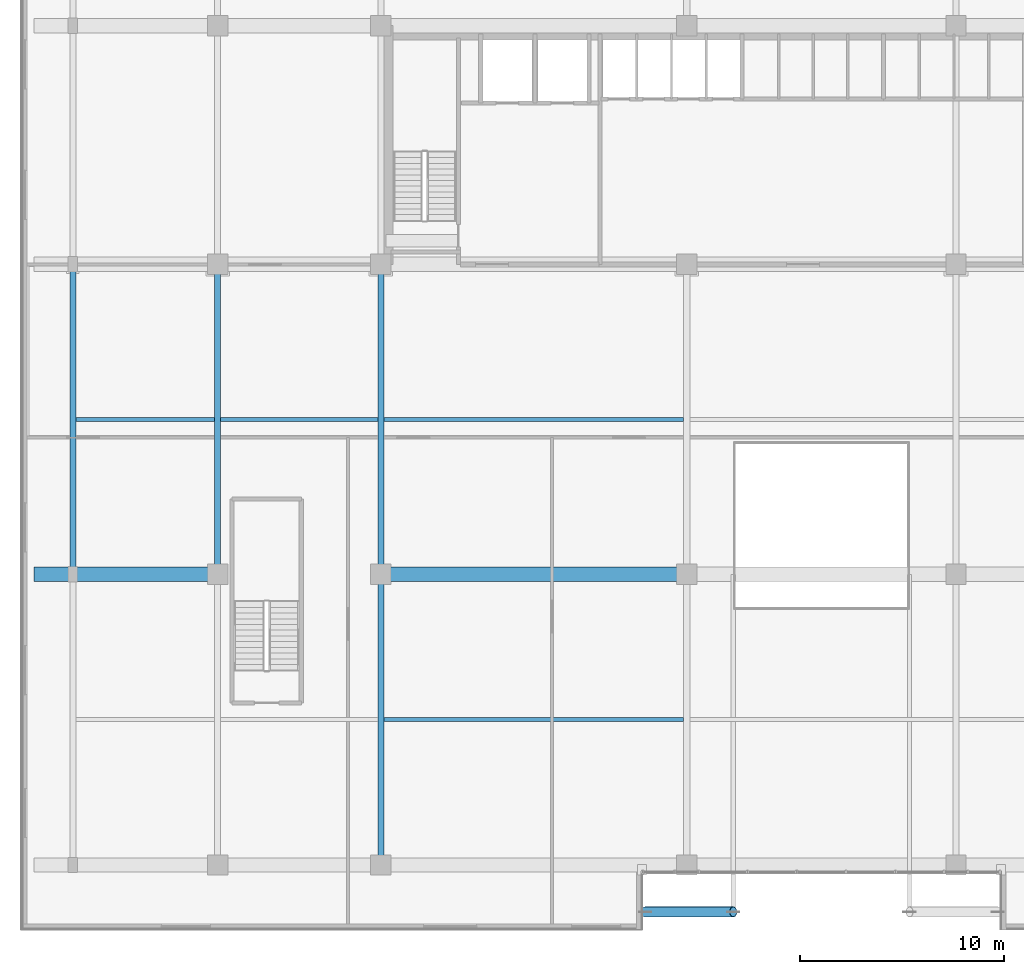
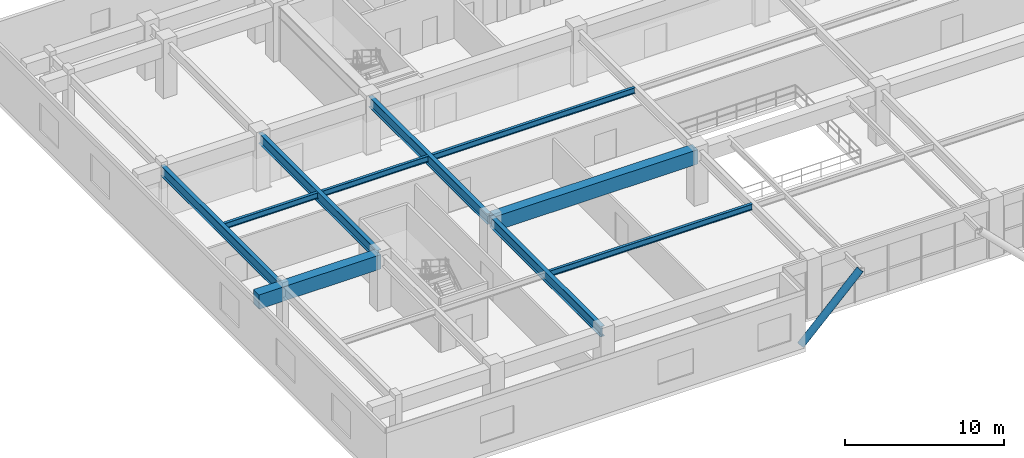
# One storey, part 3 of 21: 10 beams, 1 member.
"""IFC4 building model written with IfcOpenShell, lengths in metres."""

import ifcopenshell
import ifcopenshell.guid

model = None  # the IFC model being written
_history = None  # IfcOwnerHistory: only IFC2X3 demands one
_inside = {}  # id of a spatial element -> (the spatial element, [elements in it])
_under = {}  # id of a project, library or spatial element -> (it, [spatial elements below it])
_declared = {}  # id of a project -> (the project, [libraries it declares])
_typed = {}  # id of a type object -> (the type object, [elements of that type])
_made_of = {}  # id of a material, layer set ... -> (it, [elements and type objects made of it])


def new_model(schema):
    """Start an empty IFC model of exactly this schema.

    Asked for "IFC4X3", IfcOpenShell would pick the latest addendum, in which some entities
    have other attributes; the version numbers below select the first issue.
    IFC2X3 requires an IfcOwnerHistory on every rooted entity: one is made here for all.
    """
    global model, _history
    if schema == "IFC4X3":
        model = ifcopenshell.file(schema_version=(4, 3, 0, 0))
    else:
        model = ifcopenshell.file(schema=schema)
    _inside.clear()
    _under.clear()
    _declared.clear()
    _typed.clear()
    _made_of.clear()
    _history = None
    if model.schema == "IFC2X3":
        org = make("IfcOrganization", Name="unknown")
        user = make(
            "IfcPersonAndOrganization",
            ThePerson=make("IfcPerson", FamilyName="unknown"),
            TheOrganization=org,
        )
        app = make(
            "IfcApplication",
            ApplicationDeveloper=org,
            Version="unknown",
            ApplicationFullName="unknown",
            ApplicationIdentifier="unknown",
        )
        _history = make(
            "IfcOwnerHistory",
            OwningUser=user,
            OwningApplication=app,
            ChangeAction="ADDED",
            CreationDate=0,
        )
    return model


def make(cls, **values):
    """One entity of the class cls with the attributes given. An attribute that is None is left unset."""
    return model.create_entity(
        cls, **{name: value for name, value in values.items() if value is not None}
    )


def rooted(cls, **values):
    """An entity with a GlobalId (a new one), such as an element, a storey or a relation."""
    return make(cls, GlobalId=ifcopenshell.guid.new(), OwnerHistory=_history, **values)


def si_unit(unit_type, name, prefix=None):
    """IfcSIUnit, for example si_unit("LENGTHUNIT", "METRE", prefix="MILLI")."""
    return make("IfcSIUnit", UnitType=unit_type, Prefix=prefix, Name=name)


def assignment(units):
    """IfcUnitAssignment: the units of a project."""
    return None if units is None else make("IfcUnitAssignment", Units=units)


def point(xyz):
    """IfcCartesianPoint."""
    return None if xyz is None else make("IfcCartesianPoint", Coordinates=xyz)


def direction(xyz):
    """IfcDirection."""
    return None if xyz is None else make("IfcDirection", DirectionRatios=xyz)


def frame(location, z_axis=None, x_axis=None):
    """IfcAxis2Placement3D, a coordinate frame: its origin and axes. An axis left out is left unset."""
    return make(
        "IfcAxis2Placement3D",
        Location=point(location),
        Axis=direction(z_axis),
        RefDirection=direction(x_axis),
    )


def frame_2d(location, x_axis=None):
    """IfcAxis2Placement2D, a coordinate frame in the plane: its origin and x axis."""
    return make(
        "IfcAxis2Placement2D", Location=point(location), RefDirection=direction(x_axis)
    )


def origin():
    """The frame at (0, 0, 0) with its axes left unset."""
    return frame((0.0, 0.0, 0.0))


def origin_2d():
    """The frame at (0, 0) in the plane with its x axis left unset."""
    return frame_2d((0.0, 0.0))


def place(relative_to, where):
    """IfcLocalPlacement: puts the frame where relative to a parent placement (None: the world)."""
    return make(
        "IfcLocalPlacement", PlacementRelTo=relative_to, RelativePlacement=where
    )


def context(
    kind, dimensions, precision=None, world=None, true_north=None, identifier=None
):
    """IfcGeometricRepresentationContext, for example the 3D "Model" context."""
    return make(
        "IfcGeometricRepresentationContext",
        ContextIdentifier=identifier,
        ContextType=kind,
        CoordinateSpaceDimension=dimensions,
        Precision=precision,
        WorldCoordinateSystem=world,
        TrueNorth=true_north,
    )


def subcontext(parent, identifier, kind, view, scale=None):
    """IfcGeometricRepresentationSubContext, for example "Body" below "Model"."""
    return make(
        "IfcGeometricRepresentationSubContext",
        ContextIdentifier=identifier,
        ContextType=kind,
        ParentContext=parent,
        TargetScale=scale,
        TargetView=view,
    )


def project(units=None, contexts=None):
    """IfcProject with its units and contexts."""
    return rooted(
        "IfcProject",
        Name="project",
        RepresentationContexts=contexts,
        UnitsInContext=assignment(units),
    )


def spatial(cls, under=None, at=None, **own):
    """A site, building, storey or space (cls), placed at a placement, below another one or the project."""
    s = rooted(cls, ObjectPlacement=at, **own)
    if under is not None:
        _under.setdefault(under.id(), (under, []))[1].append(s)
    return s


def profile(cls, at=None, kind="AREA", **sizes):
    """A parametric profile (cls). Its sizes go by their IFC names, for example OverallWidth=200.0."""
    return make(cls, ProfileType=kind, Position=at, **sizes)


def rectangle(**sizes):
    """IfcRectangleProfileDef."""
    return profile("IfcRectangleProfileDef", **sizes)


def hollow_circle(**sizes):
    """IfcCircleHollowProfileDef."""
    return profile("IfcCircleHollowProfileDef", **sizes)


def i_section(**sizes):
    """IfcIShapeProfileDef."""
    return profile("IfcIShapeProfileDef", **sizes)


def extrude(swept, where, along, depth):
    """IfcExtrudedAreaSolid: the profile swept, set in the frame where, extruded along a direction by depth."""
    return make(
        "IfcExtrudedAreaSolid",
        SweptArea=swept,
        Position=where,
        ExtrudedDirection=direction(along),
        Depth=depth,
    )


def shape(context_of_items, identifier, shape_type, items):
    """IfcShapeRepresentation: the items that make up one representation, for example the "Body"."""
    return make(
        "IfcShapeRepresentation",
        ContextOfItems=context_of_items,
        RepresentationIdentifier=identifier,
        RepresentationType=shape_type,
        Items=items,
    )


def source(mapping_origin, context_of_items, identifier, shape_type, items):
    """IfcRepresentationMap: a shape defined once, which mapped items show again and again."""
    return make(
        "IfcRepresentationMap",
        MappingOrigin=mapping_origin,
        MappedRepresentation=shape(context_of_items, identifier, shape_type, items),
    )


def transform(
    local_origin,
    x_axis=None,
    y_axis=None,
    z_axis=None,
    scale=None,
    scale2=None,
    scale3=None,
    uniform=True,
):
    """IfcCartesianTransformationOperator3D, or its non-uniform kind. x_axis, y_axis, z_axis: its Axis1, 2, 3."""
    if uniform:
        return make(
            "IfcCartesianTransformationOperator3D",
            Axis1=direction(x_axis),
            Axis2=direction(y_axis),
            LocalOrigin=point(local_origin),
            Scale=scale,
            Axis3=direction(z_axis),
        )
    return make(
        "IfcCartesianTransformationOperator3DnonUniform",
        Axis1=direction(x_axis),
        Axis2=direction(y_axis),
        LocalOrigin=point(local_origin),
        Scale=scale,
        Axis3=direction(z_axis),
        Scale2=scale2,
        Scale3=scale3,
    )


def mapped(mapping_source, mapping_target):
    """IfcMappedItem: shows the shape of a source again, moved by a transform."""
    return make(
        "IfcMappedItem", MappingSource=mapping_source, MappingTarget=mapping_target
    )


def material(Name=None, Category=None):
    """IfcMaterial."""
    return make("IfcMaterial", Name=Name, Category=Category)


def material_profile(
    of_material, cross_section, Name=None, Category=None, Priority=None
):
    """IfcMaterialProfile: a cross section and its material."""
    return make(
        "IfcMaterialProfile",
        Name=Name,
        Material=of_material,
        Profile=cross_section,
        Priority=Priority,
        Category=Category,
    )


def profile_set(profiles, Name=None, composite=None):
    """IfcMaterialProfileSet."""
    return make(
        "IfcMaterialProfileSet",
        Name=Name,
        MaterialProfiles=profiles,
        CompositeProfile=composite,
    )


def made_of(thing, what):
    """Note that an element or type object is made of a material, layer set ...; save() writes the relation."""
    if what is not None:
        _made_of.setdefault(what.id(), (what, []))[1].append(thing)
    return thing


def type_object(cls, material=None, **own):
    """A type object (cls), such as IfcWallType, which elements share."""
    return made_of(rooted(cls, **own), material)


def element(
    cls,
    number,
    at=None,
    inside=None,
    cuts=None,
    type_object=None,
    material=None,
    context=None,
    identifier="Body",
    shape_type=None,
    held_by="IfcProductDefinitionShape",
    body=None,
    shapes=None,
    **own,
):
    """One element of the class cls, such as IfcWall. Its Tag is "e" and its number.

    at: its placement. inside: the storey or other place that contains it. cuts: it is an
    opening in that element (IfcRelVoidsElement). A single representation is given by context,
    identifier, shape_type and body (its items); several are given by shapes. held_by: the class
    of the entity that holds the representations. save() writes the other relations.
    """
    e = rooted(cls, Tag="e%d" % number, ObjectPlacement=at, **own)
    if body is not None:
        shapes = [shape(context, identifier, shape_type, body)]
    if shapes is not None:
        e.Representation = make(held_by, Representations=shapes)
    if inside is not None:
        _inside.setdefault(inside.id(), (inside, []))[1].append(e)
    if cuts is not None:
        rooted(
            "IfcRelVoidsElement", RelatingBuildingElement=cuts, RelatedOpeningElement=e
        )
    if type_object is not None:
        _typed.setdefault(type_object.id(), (type_object, []))[1].append(e)
    return made_of(e, material)


def aggregate(whole, parts):
    """IfcRelAggregates: a whole, such as a stair, and the parts it consists of."""
    return rooted("IfcRelAggregates", RelatingObject=whole, RelatedObjects=parts)


def save(model, path):
    """Write the relations noted so far, then the file.

    IfcRelAggregates (storeys below a building ...), IfcRelContainedInSpatialStructure (elements
    in a storey), IfcRelDefinesByType, IfcRelAssociatesMaterial and IfcRelDeclares: one each for
    every whole, place, type object, material and project.
    """
    for whole, parts in _under.values():
        aggregate(whole, parts)
    for where, things in _inside.values():
        rooted(
            "IfcRelContainedInSpatialStructure",
            RelatedElements=things,
            RelatingStructure=where,
        )
    for kind, things in _typed.values():
        rooted("IfcRelDefinesByType", RelatedObjects=things, RelatingType=kind)
    for what, things in _made_of.values():
        rooted("IfcRelAssociatesMaterial", RelatedObjects=things, RelatingMaterial=what)
    for by, libraries in _declared.values():
        rooted("IfcRelDeclares", RelatingContext=by, RelatedDefinitions=libraries)
    model.write(path)


model = new_model("IFC4")

# Units and contexts
model_context = context("Model", 3, precision=1e-05, world=origin(), true_north=direction((0.0, 1.0)))
body_context = subcontext(model_context, "Body", "Model", "MODEL_VIEW")
ifc_project = project(units=[si_unit("LENGTHUNIT", "METRE"), si_unit("AREAUNIT", "SQUARE_METRE"), si_unit("VOLUMEUNIT", "CUBIC_METRE"), si_unit("PLANEANGLEUNIT", "RADIAN"), si_unit("MASSUNIT", "GRAM", prefix="KILO")], contexts=[model_context])

# Site, building, storey
site_placement = place(None, origin())
site = spatial("IfcSite", under=ifc_project, at=site_placement, CompositionType="ELEMENT")
building_placement = place(site_placement, origin())
building = spatial("IfcBuilding", under=site, at=building_placement, Name="Trelvane Seafront Commons", CompositionType="ELEMENT")
storey_placement = place(building_placement, frame((0.0, 0.0, 14.199951171875)))
storey = spatial("IfcBuildingStorey", under=building, at=storey_placement, Name="L03", CompositionType="ELEMENT", Elevation=14.199951171875)

# Beams
ifc_material_1 = material(Name="Concrete C50/60", Category="concrete")
ifc_material_profile_1 = material_profile(ifc_material_1, rectangle(XDim=0.699951171875, YDim=1.10009765625, at=origin_2d()), Name="RC-700x1100")
ifc_profile_set_1 = profile_set([ifc_material_profile_1], Name="Concrete C50/60")
beam_type_1 = type_object("IfcBeamType", Name="STR-TBM-RC700x1100", PredefinedType="T_BEAM", material=ifc_profile_set_1)
shared_shape_1 = source(origin(), body_context, "Body", "SweptSolid", [
    extrude(rectangle(XDim=0.699951171875, YDim=1.10009765625, at=origin_2d()), origin(), (0.0, 0.0, 1.0), 14.699951171875),
])
beam_1_placement = place(storey_placement, frame((15.75, 18.199951171875, 3.60009765625), z_axis=(1.0, 0.0, 0.0), x_axis=(0.0, 1.0, 0.0)))
element("IfcBeam", 1, at=beam_1_placement, inside=storey, type_object=beam_type_1, Name="L03 Primary Girder G-09", PredefinedType="T_BEAM", context=body_context, shape_type="MappedRepresentation", body=[
    mapped(shared_shape_1, transform((0.0, 0.0, 0.0), x_axis=(1.0, 0.0, 0.0), y_axis=(0.0, 1.0, 0.0), z_axis=(0.0, 0.0, 1.0), scale=1.0)),
])
ifc_material_2 = material(Name="Steel SM355 (S355)", Category="steel")
ifc_material_profile_2 = material_profile(ifc_material_2, i_section(OverallWidth=0.300048828125, OverallDepth=0.800048828125, WebThickness=0.013916015625, FlangeThickness=0.02587890625, at=origin_2d()), Name="H-800x300x14x26")
ifc_profile_set_2 = profile_set([ifc_material_profile_2], Name="Steel SM355 (S355)")
beam_type_2 = type_object("IfcBeamType", Name="STR-BM-H800", PredefinedType="BEAM", material=ifc_profile_set_2)
shared_shape_2 = source(origin(), body_context, "Body", "SweptSolid", [
    extrude(i_section(OverallWidth=0.300048828125, OverallDepth=0.800048828125, WebThickness=0.013916015625, FlangeThickness=0.02587890625, at=origin_2d()), origin(), (0.0, 0.0, 1.0), 13.949951171875),
])
beam_2_placement = place(storey_placement, frame((15.60009765625, 4.10009765625, 3.75), z_axis=(0.0, 1.0, 0.0), x_axis=(-1.0, 0.0, 0.0)))
element("IfcBeam", 2, at=beam_2_placement, inside=storey, type_object=beam_type_2, Name="L03 Primary Girder G-39", PredefinedType="BEAM", context=body_context, shape_type="MappedRepresentation", body=[
    mapped(shared_shape_2, transform((0.0, 0.0, 0.0), x_axis=(1.0, 0.0, 0.0), y_axis=(0.0, 1.0, 0.0), z_axis=(0.0, 0.0, 1.0), scale=1.0)),
])
shared_shape_3 = source(origin(), body_context, "Body", "SweptSolid", [
    extrude(i_section(OverallWidth=0.300048828125, OverallDepth=0.800048828125, WebThickness=0.013916015625, FlangeThickness=0.02587890625, at=origin_2d()), origin(), (0.0, 0.0, 1.0), 14.89990234375),
])
for number, where, z_axis, x_axis, name in (
    (3, (0.5, 18.35009765625, 3.75), (0.0, 1.0, 0.0), (-1.0, 0.0, 0.0), "L03 Primary Girder G-32"),
    (4, (7.60009765625, 18.35009765625, 3.75), (0.0, 1.0, 0.0), (-1.0, 0.0, 0.0), "L03 Primary Girder G-36"),
    (5, (15.60009765625, 18.35009765625, 3.75), (0.0, 1.0, 0.0), (-1.0, 0.0, 0.0), "L03 Primary Girder G-40"),
):
    element("IfcBeam", number, at=place(storey_placement, frame(where, z_axis=z_axis, x_axis=x_axis)), inside=storey, type_object=beam_type_2, Name=name, PredefinedType="BEAM", context=body_context, shape_type="MappedRepresentation", body=[
        mapped(shared_shape_3, transform((0.0, 0.0, 0.0), x_axis=(1.0, 0.0, 0.0), y_axis=(0.0, 1.0, 0.0), z_axis=(0.0, 0.0, 1.0), scale=1.0)),
    ])
ifc_material_profile_3 = material_profile(ifc_material_2, i_section(OverallWidth=0.199951171875, OverallDepth=0.449951171875, WebThickness=0.009033203125, FlangeThickness=0.013916015625, at=origin_2d()), Name="H-450x200x9x14")
ifc_profile_set_3 = profile_set([ifc_material_profile_3], Name="Steel SM355 (S355)")
beam_type_3 = type_object("IfcBeamType", Name="STR-JST-H450", PredefinedType="JOIST", material=ifc_profile_set_3)
shared_shape_4 = source(origin(), body_context, "Body", "SweptSolid", [
    extrude(i_section(OverallWidth=0.199951171875, OverallDepth=0.449951171875, WebThickness=0.009033203125, FlangeThickness=0.013916015625, at=origin_2d()), origin(), (0.0, 0.0, 1.0), 6.800048828125),
])
beam_3_placement = place(storey_placement, frame((0.64990234375, 25.800048828125, 3.925048828125), z_axis=(1.0, 0.0, 0.0), x_axis=(0.0, 1.0, 0.0)))
element("IfcBeam", 6, at=beam_3_placement, inside=storey, type_object=beam_type_3, Name="L03 Secondary Floor Joist B-65", PredefinedType="JOIST", context=body_context, shape_type="MappedRepresentation", body=[
    mapped(shared_shape_4, transform((0.0, 0.0, 0.0), x_axis=(1.0, 0.0, 0.0), y_axis=(0.0, 1.0, 0.0), z_axis=(0.0, 0.0, 1.0), scale=1.0)),
])
shared_shape_5 = source(origin(), body_context, "Body", "SweptSolid", [
    extrude(i_section(OverallWidth=0.199951171875, OverallDepth=0.449951171875, WebThickness=0.009033203125, FlangeThickness=0.013916015625, at=origin_2d()), origin(), (0.0, 0.0, 1.0), 7.699951171875),
])
beam_4_placement = place(storey_placement, frame((7.75, 25.800048828125, 3.925048828125), z_axis=(1.0, 0.0, 0.0), x_axis=(0.0, 1.0, 0.0)))
element("IfcBeam", 7, at=beam_4_placement, inside=storey, type_object=beam_type_3, Name="L03 Secondary Floor Joist B-66", PredefinedType="JOIST", context=body_context, shape_type="MappedRepresentation", body=[
    mapped(shared_shape_5, transform((0.0, 0.0, 0.0), x_axis=(1.0, 0.0, 0.0), y_axis=(0.0, 1.0, 0.0), z_axis=(0.0, 0.0, 1.0), scale=1.0)),
])
shared_shape_6 = source(origin(), body_context, "Body", "SweptSolid", [
    extrude(i_section(OverallWidth=0.199951171875, OverallDepth=0.449951171875, WebThickness=0.009033203125, FlangeThickness=0.013916015625, at=origin_2d()), origin(), (0.0, 0.0, 1.0), 14.699951171875),
])
for number, where, z_axis, x_axis, name in (
    (8, (15.75, 11.074951171875, 3.925048828125), (1.0, 0.0, 0.0), (0.0, 1.0, 0.0), "L03 Secondary Floor Joist B-61"),
    (9, (15.75, 25.800048828125, 3.925048828125), (1.0, 0.0, 0.0), (0.0, 1.0, 0.0), "L03 Secondary Floor Joist B-67"),
):
    element("IfcBeam", number, at=place(storey_placement, frame(where, z_axis=z_axis, x_axis=x_axis)), inside=storey, type_object=beam_type_3, Name=name, PredefinedType="JOIST", context=body_context, shape_type="MappedRepresentation", body=[
        mapped(shared_shape_6, transform((0.0, 0.0, 0.0), x_axis=(1.0, 0.0, 0.0), y_axis=(0.0, 1.0, 0.0), z_axis=(0.0, 0.0, 1.0), scale=1.0)),
    ])
shared_shape_7 = source(origin(), body_context, "Body", "SweptSolid", [
    extrude(rectangle(XDim=0.699951171875, YDim=1.10009765625, at=origin_2d()), origin(), (0.0, 0.0, 1.0), 8.849853515625),
])
beam_5_placement = place(storey_placement, frame((-1.39990234375, 18.199951171875, 3.60009765625), z_axis=(1.0, 0.0, 0.0), x_axis=(0.0, 1.0, 0.0)))
element("IfcBeam", 10, at=beam_5_placement, inside=storey, type_object=beam_type_1, Name="L03 Primary Girder G-07", PredefinedType="T_BEAM", context=body_context, shape_type="MappedRepresentation", body=[
    mapped(shared_shape_7, transform((0.0, 0.0, 0.0), x_axis=(1.0, 0.0, 0.0), y_axis=(0.0, 1.0, 0.0), z_axis=(0.0, 0.0, 1.0), scale=1.0)),
])

# Member
ifc_material_profile_4 = material_profile(ifc_material_2, hollow_circle(Radius=0.25390625, WallThickness=0.02001953125, at=origin_2d()), Name="CHS-508x20")
ifc_profile_set_4 = profile_set([ifc_material_profile_4], Name="Steel SM355 (S355)")
member_type = type_object("IfcMemberType", Name="STR-STR-CHS508", PredefinedType="STRUT", material=ifc_profile_set_4)
shared_shape_8 = source(origin(), body_context, "Body", "SweptSolid", [
    extrude(hollow_circle(Radius=0.25390625, WallThickness=0.02001953125, at=origin_2d()), origin(), (0.0, 0.0, 1.0), 6.094970703125),
])
member_placement = place(storey_placement, frame((28.56005859375, 1.64990234375, -0.349853515625), z_axis=(0.708747161461, 0.0, 0.70546258662), x_axis=(0.0, 1.0, 0.0)))
element("IfcMember", 11, at=member_placement, inside=storey, type_object=member_type, Name="L03 Base Inverted-V Portal Mega-Strut VP-W", PredefinedType="STRUT", context=body_context, shape_type="MappedRepresentation", body=[
    mapped(shared_shape_8, transform((0.0, 0.0, 0.0), x_axis=(1.0, 0.0, 0.0), y_axis=(0.0, 1.0, 0.0), z_axis=(0.0, 0.0, 1.0), scale=1.0)),
])

save(model, "model.ifc")
